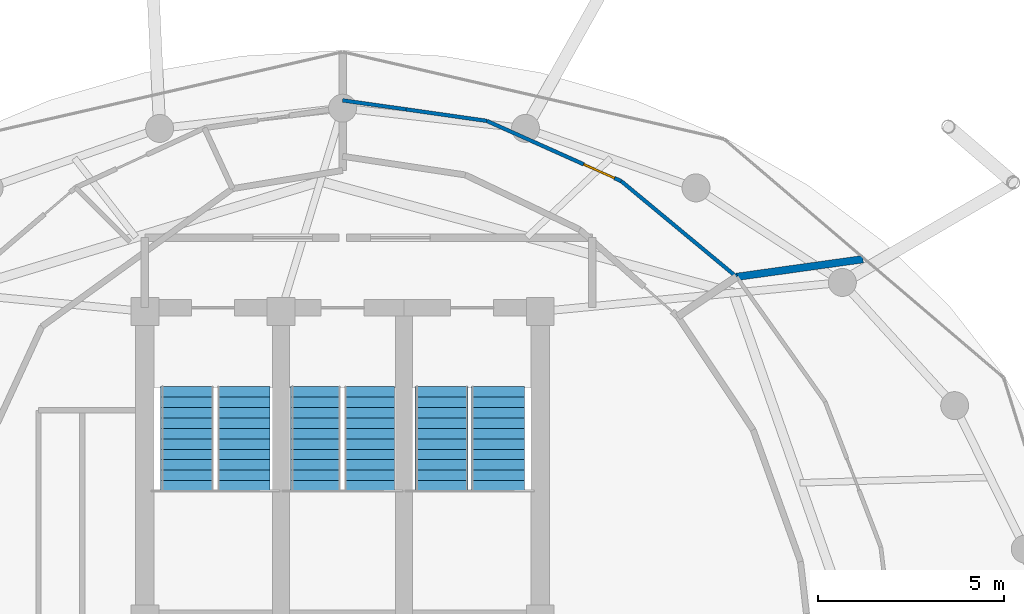
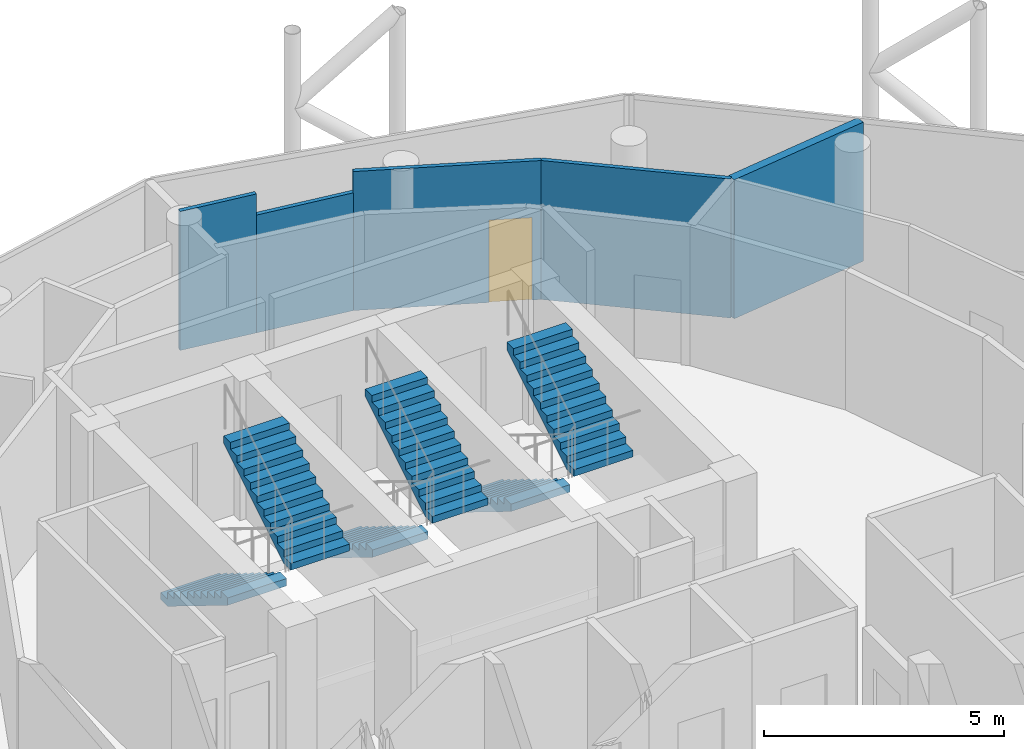
# One storey, part 23 of 24: 6 stair flights, 5 walls, 1 door, 1 opening, 3 elements without a shape of their own.
"""IFC4 building model written with IfcOpenShell, lengths in metres."""

from ifc_helpers import new_model, si_unit, direction, frame, frame_2d, origin, place, context, subcontext, project, spatial, polyline, rectangle, outline, extrude, material, layer, layer_set, type_object, element, fill, aggregate, save


model = new_model("IFC4")

# Units and contexts
model_context = context("Model", 3, precision=1e-05, world=origin(), true_north=direction((0.0, 1.0)))
body_context = subcontext(model_context, "Body", "Model", "MODEL_VIEW")
ifc_project = project(units=[si_unit("LENGTHUNIT", "METRE"), si_unit("AREAUNIT", "SQUARE_METRE"), si_unit("VOLUMEUNIT", "CUBIC_METRE"), si_unit("PLANEANGLEUNIT", "RADIAN"), si_unit("MASSUNIT", "GRAM", prefix="KILO")], contexts=[model_context])

# Site, building, storey
site_placement = place(None, origin())
site = spatial("IfcSite", under=ifc_project, at=site_placement, CompositionType="ELEMENT")
building_placement = place(site_placement, origin())
building = spatial("IfcBuilding", under=site, at=building_placement, Name="Nuhasar Tower", CompositionType="ELEMENT")
storey_placement = place(building_placement, frame((0.0, 0.0, 274.60009765625)))
storey = spatial("IfcBuildingStorey", under=building, at=storey_placement, Name="L68", CompositionType="ELEMENT", Elevation=274.60009765625)

# Wall
ifc_material_1 = material(Name="Aluminium 6063-T6", Category="aluminium")
ifc_layer_1 = layer(ifc_material_1, 0.10009765625)
ifc_layer_set_1 = layer_set([ifc_layer_1], Name="Aluminium 6063-T6")
wall_type_1 = type_object("IfcWallType", Name="WL-MOVABLE-100", PredefinedType="MOVABLE", material=ifc_layer_set_1)
wall_1_placement = place(storey_placement, frame((49.56396484375, 38.22705078125, 0.0), z_axis=(0.0, 0.0, 1.0), x_axis=(-0.769498838344, 0.638648211292, 0.0)))
element("IfcWall", 1, at=wall_1_placement, inside=storey, type_object=wall_type_1, Name="L68 Interior Partition UMID5-04-06", PredefinedType="MOVABLE", context=body_context, shape_type="SweptSolid", body=[
    extrude(rectangle(XDim=4.020751953125, YDim=0.10009765625, at=frame_2d((2.01025390625, 0.0))), origin(), (0.0, 0.0, 1.0), 3.539794921875),
])

# Wall, opening, door
wall_2_placement = place(storey_placement, frame((46.469970703125, 40.794921875, 0.0), z_axis=(0.0, 0.0, 1.0), x_axis=(-0.912616745569, 0.408816188166, 0.0)))
wall_2 = element("IfcWall", 2, at=wall_2_placement, inside=storey, type_object=wall_type_1, Name="L68 Interior Partition UMID5-04-08", PredefinedType="MOVABLE", context=body_context, shape_type="SweptSolid", body=[
    extrude(rectangle(XDim=3.947998046875, YDim=0.10009765625, at=frame_2d((1.97412109375, 0.0))), origin(), (0.0, 0.0, 1.0), 3.539794921875),
])
opening_placement = place(wall_2_placement, frame((0.199951171875, 0.0, 0.0)))
opening = element("IfcOpeningElement", 3, at=opening_placement, cuts=wall_2, Name="Opening DR-01", PredefinedType="OPENING", context=body_context, shape_type="SweptSolid", body=[
    extrude(rectangle(XDim=0.89990234375, YDim=2.10009765625, at=frame_2d((0.449951171875, 1.050048828125))), frame((0.0, 0.06005859375, 0.0), z_axis=(0.0, -1.0, 0.0), x_axis=(1.0, 0.0, 0.0)), (0.0, 0.0, 1.0), 0.1201171875),
])
ifc_material_2 = material(Name="Timber Oak", Category="wood")
door_type = type_object("IfcDoorType", Name="DR-ROOM-900", OperationType="NOTDEFINED", PredefinedType="DOOR", material=ifc_material_2)
door_placement = place(opening_placement, origin())
door = element("IfcDoor", 4, at=door_placement, inside=storey, type_object=door_type, Name="L68 Diplomatic Briefing Room Inner Door", OperationType="SINGLE_SWING_LEFT", OverallHeight=2.10009765625, OverallWidth=0.89990234375, PredefinedType="DOOR", context=body_context, shape_type="SweptSolid", body=[
    extrude(rectangle(XDim=0.89990234375, YDim=2.10009765625, at=frame_2d((0.449951171875, 1.050048828125))), frame((0.0, 0.02490234375, 0.0), z_axis=(0.0, -1.0, 0.0), x_axis=(1.0, 0.0, 0.0)), (0.0, 0.0, 1.0), 0.050048828125),
])
fill(opening, door)

# Walls
wall_3_placement = place(storey_placement, frame((42.866943359375, 42.408935546875, 0.0), z_axis=(0.0, 0.0, 1.0), x_axis=(-0.989971798103, 0.141265137105, 0.0)))
element("IfcWall", 5, at=wall_3_placement, inside=storey, type_object=wall_type_1, Name="L68 Interior Partition UMID5-04-10", PredefinedType="MOVABLE", context=body_context, shape_type="SweptSolid", body=[
    extrude(rectangle(XDim=2.18798828125, YDim=0.10009765625, at=frame_2d((1.093994140625, 0.0))), origin(), (0.0, 0.0, 1.0), 3.0),
])
wall_4_placement = place(storey_placement, frame((40.700927734375, 42.718017578125, 0.0), z_axis=(0.0, 0.0, 1.0), x_axis=(-0.990034575803, 0.140824496142, 0.0)))
element("IfcWall", 6, at=wall_4_placement, inside=storey, type_object=wall_type_1, Name="L68 Interior Partition UMID5-04-10", PredefinedType="MOVABLE", context=body_context, shape_type="SweptSolid", body=[
    extrude(rectangle(XDim=1.718017578125, YDim=0.10009765625, at=frame_2d((0.85888671875, 0.0))), origin(), (0.0, 0.0, 1.0), 3.539794921875),
])
ifc_material_3 = material(Name="Concrete C40/50 precast", Category="concrete")
ifc_layer_2 = layer(ifc_material_3, 0.199951171875)
ifc_layer_set_2 = layer_set([ifc_layer_2], Name="Concrete C40/50 precast")
wall_type_2 = type_object("IfcWallType", Name="WL-UNIT-200", PredefinedType="PARTITIONING", material=ifc_layer_set_2)
wall_5_placement = place(storey_placement, frame((49.56396484375, 38.22705078125, 0.0), z_axis=(0.0, 0.0, 1.0), x_axis=(0.990353701526, 0.138562425911, 0.0)))
element("IfcWall", 7, at=wall_5_placement, inside=storey, type_object=wall_type_2, Name="L68 Interior Partition URAD5-06-S2", PredefinedType="PARTITIONING", context=body_context, shape_type="SweptSolid", body=[
    extrude(rectangle(XDim=3.419921875, YDim=0.199951171875, at=frame_2d((1.7099609375, 0.0))), origin(), (0.0, 0.0, 1.0), 3.539794921875),
])

# Stair, stair flights
ifc_material_4 = material(Name="Concrete C45/55", Category="concrete")
stair_type_1 = type_object("IfcStairType", Name="STR-ST-01-2F-22R-1727", PredefinedType="HALF_TURN_STAIR", material=ifc_material_4)
stair_1_placement = place(storey_placement, origin())
stair_1 = element("IfcStair", 8, at=stair_1_placement, inside=storey, type_object=stair_type_1, Name="L68 Exit Stair ST-01", PredefinedType="HALF_TURN_STAIR")
stair_flight_type_1 = type_object("IfcStairFlightType", Name="SFL-ST-01-11R-1727", PredefinedType="STRAIGHT", material=ifc_material_4)
stair_flight_1_placement = place(storey_placement, frame((34.830078125, 35.284912109375, 0.0), z_axis=(0.0, 0.0, 1.0), x_axis=(0.0, -1.0, 0.0)))
stair_flight_1 = element("IfcStairFlight", 9, at=stair_flight_1_placement, type_object=stair_flight_type_1, Name="ST-01 flight 1", NumberOfRisers=11, NumberOfTreads=10, PredefinedType="STRAIGHT", RiserHeight=0.172727, TreadLength=0.28, context=body_context, shape_type="SweptSolid", body=[
    extrude(outline(polyline([(0.0, 0.0), (0.0, 0.172607421875), (0.280029296875, 0.172607421875), (0.280029296875, 0.345458984375), (0.56005859375, 0.345458984375), (0.56005859375, 0.51806640625), (0.840087890625, 0.51806640625), (0.840087890625, 0.69091796875), (1.1201171875, 0.69091796875), (1.1201171875, 0.863525390625), (1.39990234375, 0.863525390625), (1.39990234375, 1.036376953125), (1.679931640625, 1.036376953125), (1.679931640625, 1.208984375), (1.9599609375, 1.208984375), (1.9599609375, 1.3818359375), (2.239990234375, 1.3818359375), (2.239990234375, 1.554443359375), (2.52001953125, 1.554443359375), (2.52001953125, 1.727294921875), (2.800048828125, 1.727294921875), (2.800048828125, 1.89990234375), (2.800048828125, 1.539306640625), (0.3046875, 0.0), (0.0, 0.0)])), frame((0.0, 0.7099609375, 0.0), z_axis=(0.0, -1.0, 0.0), x_axis=(1.0, 0.0, 0.0)), (0.0, 0.0, 1.0), 1.419921875),
])
stair_flight_2_placement = place(storey_placement, frame((36.35009765625, 32.485107421875, 1.89990234375), z_axis=(0.0, 0.0, 1.0), x_axis=(0.0, 1.0, 0.0)))
stair_flight_2 = element("IfcStairFlight", 10, at=stair_flight_2_placement, type_object=stair_flight_type_1, Name="ST-01 flight 2", NumberOfRisers=11, NumberOfTreads=10, PredefinedType="STRAIGHT", RiserHeight=0.172727, TreadLength=0.28, context=body_context, shape_type="SweptSolid", body=[
    extrude(outline(polyline([(0.0, 0.0), (0.0, 0.172607421875), (0.280029296875, 0.172607421875), (0.280029296875, 0.345458984375), (0.56005859375, 0.345458984375), (0.56005859375, 0.51806640625), (0.840087890625, 0.51806640625), (0.840087890625, 0.69091796875), (1.1201171875, 0.69091796875), (1.1201171875, 0.863525390625), (1.39990234375, 0.863525390625), (1.39990234375, 1.036376953125), (1.679931640625, 1.036376953125), (1.679931640625, 1.208984375), (1.9599609375, 1.208984375), (1.9599609375, 1.3818359375), (2.239990234375, 1.3818359375), (2.239990234375, 1.554443359375), (2.52001953125, 1.554443359375), (2.52001953125, 1.727294921875), (2.800048828125, 1.727294921875), (2.800048828125, 1.89990234375), (2.800048828125, 1.539306640625), (0.3046875, 0.0), (0.0, 0.0)])), frame((0.0, 0.7099609375, 0.0), z_axis=(0.0, -1.0, 0.0), x_axis=(1.0, 0.0, 0.0)), (0.0, 0.0, 1.0), 1.419921875),
])
aggregate(stair_1, [stair_flight_1, stair_flight_2])

stair_type_2 = type_object("IfcStairType", Name="STR-ST-02-2F-22R-1727", PredefinedType="HALF_TURN_STAIR", material=ifc_material_4)
stair_2_placement = place(storey_placement, origin())
stair_2 = element("IfcStair", 11, at=stair_2_placement, inside=storey, type_object=stair_type_2, Name="L68 Exit Stair ST-02", PredefinedType="HALF_TURN_STAIR")
stair_flight_type_2 = type_object("IfcStairFlightType", Name="SFL-ST-02-11R-1727", PredefinedType="STRAIGHT", material=ifc_material_4)
stair_flight_3_placement = place(storey_placement, frame((41.64990234375, 35.284912109375, 0.0), z_axis=(0.0, 0.0, 1.0), x_axis=(0.0, -1.0, 0.0)))
stair_flight_3 = element("IfcStairFlight", 12, at=stair_flight_3_placement, type_object=stair_flight_type_2, Name="ST-02 flight 1", NumberOfRisers=11, NumberOfTreads=10, PredefinedType="STRAIGHT", RiserHeight=0.172727, TreadLength=0.28, context=body_context, shape_type="SweptSolid", body=[
    extrude(outline(polyline([(0.0, 0.0), (0.0, 0.172607421875), (0.280029296875, 0.172607421875), (0.280029296875, 0.345458984375), (0.56005859375, 0.345458984375), (0.56005859375, 0.51806640625), (0.840087890625, 0.51806640625), (0.840087890625, 0.69091796875), (1.1201171875, 0.69091796875), (1.1201171875, 0.863525390625), (1.39990234375, 0.863525390625), (1.39990234375, 1.036376953125), (1.679931640625, 1.036376953125), (1.679931640625, 1.208984375), (1.9599609375, 1.208984375), (1.9599609375, 1.3818359375), (2.239990234375, 1.3818359375), (2.239990234375, 1.554443359375), (2.52001953125, 1.554443359375), (2.52001953125, 1.727294921875), (2.800048828125, 1.727294921875), (2.800048828125, 1.89990234375), (2.800048828125, 1.539306640625), (0.3046875, 0.0), (0.0, 0.0)])), frame((0.0, 0.7099609375, 0.0), z_axis=(0.0, -1.0, 0.0), x_axis=(1.0, 0.0, 0.0)), (0.0, 0.0, 1.0), 1.419921875),
])
stair_flight_4_placement = place(storey_placement, frame((43.169921875, 32.485107421875, 1.89990234375), z_axis=(0.0, 0.0, 1.0), x_axis=(0.0, 1.0, 0.0)))
stair_flight_4 = element("IfcStairFlight", 13, at=stair_flight_4_placement, type_object=stair_flight_type_2, Name="ST-02 flight 2", NumberOfRisers=11, NumberOfTreads=10, PredefinedType="STRAIGHT", RiserHeight=0.172727, TreadLength=0.28, context=body_context, shape_type="SweptSolid", body=[
    extrude(outline(polyline([(0.0, 0.0), (0.0, 0.172607421875), (0.280029296875, 0.172607421875), (0.280029296875, 0.345458984375), (0.56005859375, 0.345458984375), (0.56005859375, 0.51806640625), (0.840087890625, 0.51806640625), (0.840087890625, 0.69091796875), (1.1201171875, 0.69091796875), (1.1201171875, 0.863525390625), (1.39990234375, 0.863525390625), (1.39990234375, 1.036376953125), (1.679931640625, 1.036376953125), (1.679931640625, 1.208984375), (1.9599609375, 1.208984375), (1.9599609375, 1.3818359375), (2.239990234375, 1.3818359375), (2.239990234375, 1.554443359375), (2.52001953125, 1.554443359375), (2.52001953125, 1.727294921875), (2.800048828125, 1.727294921875), (2.800048828125, 1.89990234375), (2.800048828125, 1.539306640625), (0.3046875, 0.0), (0.0, 0.0)])), frame((0.0, 0.7099609375, 0.0), z_axis=(0.0, -1.0, 0.0), x_axis=(1.0, 0.0, 0.0)), (0.0, 0.0, 1.0), 1.419921875),
])
aggregate(stair_2, [stair_flight_3, stair_flight_4])

stair_type_3 = type_object("IfcStairType", Name="STR-ST-03-2F-22R-1727", PredefinedType="HALF_TURN_STAIR", material=ifc_material_4)
stair_3_placement = place(storey_placement, origin())
stair_3 = element("IfcStair", 14, at=stair_3_placement, inside=storey, type_object=stair_type_3, Name="L68 Exit Stair ST-03", PredefinedType="HALF_TURN_STAIR")
stair_flight_type_3 = type_object("IfcStairFlightType", Name="SFL-ST-03-11R-1727", PredefinedType="STRAIGHT", material=ifc_material_4)
stair_flight_5_placement = place(storey_placement, frame((38.280029296875, 35.284912109375, 0.0), z_axis=(0.0, 0.0, 1.0), x_axis=(0.0, -1.0, 0.0)))
stair_flight_5 = element("IfcStairFlight", 15, at=stair_flight_5_placement, type_object=stair_flight_type_3, Name="ST-03 flight 1", NumberOfRisers=11, NumberOfTreads=10, PredefinedType="STRAIGHT", RiserHeight=0.172727, TreadLength=0.28, context=body_context, shape_type="SweptSolid", body=[
    extrude(outline(polyline([(0.0, 0.0), (0.0, 0.172607421875), (0.280029296875, 0.172607421875), (0.280029296875, 0.345458984375), (0.56005859375, 0.345458984375), (0.56005859375, 0.51806640625), (0.840087890625, 0.51806640625), (0.840087890625, 0.69091796875), (1.1201171875, 0.69091796875), (1.1201171875, 0.863525390625), (1.39990234375, 0.863525390625), (1.39990234375, 1.036376953125), (1.679931640625, 1.036376953125), (1.679931640625, 1.208984375), (1.9599609375, 1.208984375), (1.9599609375, 1.3818359375), (2.239990234375, 1.3818359375), (2.239990234375, 1.554443359375), (2.52001953125, 1.554443359375), (2.52001953125, 1.727294921875), (2.800048828125, 1.727294921875), (2.800048828125, 1.89990234375), (2.800048828125, 1.539306640625), (0.3046875, 0.0), (0.0, 0.0)])), frame((0.0, 0.669921875, 0.0), z_axis=(0.0, -1.0, 0.0), x_axis=(1.0, 0.0, 0.0)), (0.0, 0.0, 1.0), 1.340087890625),
])
stair_flight_6_placement = place(storey_placement, frame((39.719970703125, 32.485107421875, 1.89990234375), z_axis=(0.0, 0.0, 1.0), x_axis=(0.0, 1.0, 0.0)))
stair_flight_6 = element("IfcStairFlight", 16, at=stair_flight_6_placement, type_object=stair_flight_type_3, Name="ST-03 flight 2", NumberOfRisers=11, NumberOfTreads=10, PredefinedType="STRAIGHT", RiserHeight=0.172727, TreadLength=0.28, context=body_context, shape_type="SweptSolid", body=[
    extrude(outline(polyline([(0.0, 0.0), (0.0, 0.172607421875), (0.280029296875, 0.172607421875), (0.280029296875, 0.345458984375), (0.56005859375, 0.345458984375), (0.56005859375, 0.51806640625), (0.840087890625, 0.51806640625), (0.840087890625, 0.69091796875), (1.1201171875, 0.69091796875), (1.1201171875, 0.863525390625), (1.39990234375, 0.863525390625), (1.39990234375, 1.036376953125), (1.679931640625, 1.036376953125), (1.679931640625, 1.208984375), (1.9599609375, 1.208984375), (1.9599609375, 1.3818359375), (2.239990234375, 1.3818359375), (2.239990234375, 1.554443359375), (2.52001953125, 1.554443359375), (2.52001953125, 1.727294921875), (2.800048828125, 1.727294921875), (2.800048828125, 1.89990234375), (2.800048828125, 1.539306640625), (0.3046875, 0.0), (0.0, 0.0)])), frame((0.0, 0.669921875, 0.0), z_axis=(0.0, -1.0, 0.0), x_axis=(1.0, 0.0, 0.0)), (0.0, 0.0, 1.0), 1.340087890625),
])
aggregate(stair_3, [stair_flight_5, stair_flight_6])

save(model, "model.ifc")
